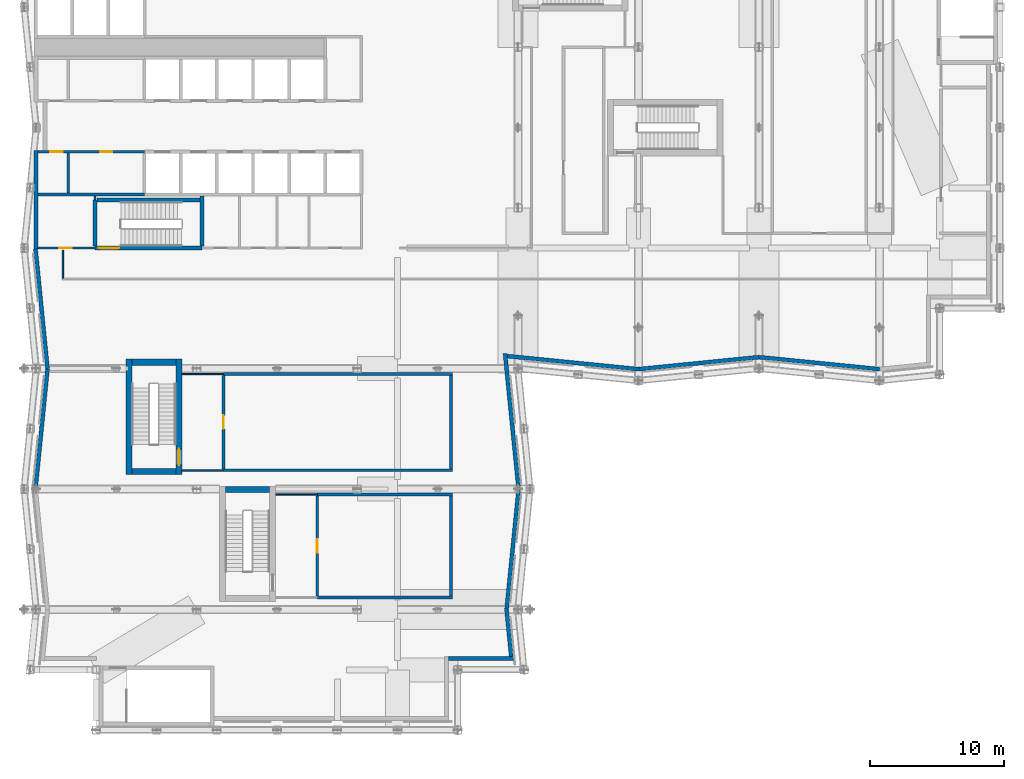
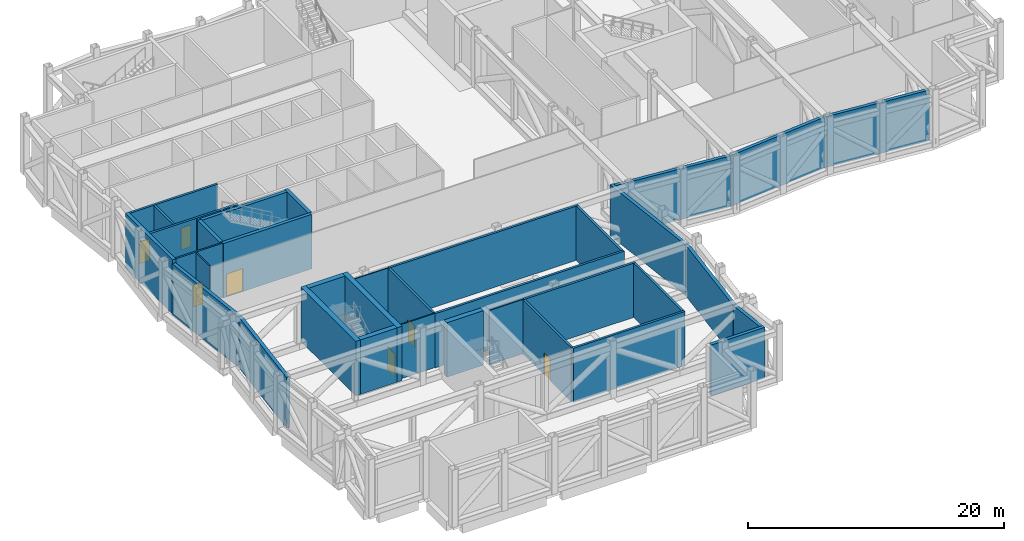
# One storey, part 9 of 22: 36 walls, 7 doors, 7 openings.
"""IFC4 building model written with IfcOpenShell, lengths in metres."""

from ifc_helpers import new_model, si_unit, direction, frame, frame_2d, origin, place, context, subcontext, project, spatial, rectangle, extrude, material, layer, layer_set, type_object, element, fill, save


model = new_model("IFC4")

# Units and contexts
model_context = context("Model", 3, precision=1e-05, world=origin(), true_north=direction((0.0, 1.0)))
body_context = subcontext(model_context, "Body", "Model", "MODEL_VIEW")
ifc_project = project(units=[si_unit("LENGTHUNIT", "METRE"), si_unit("AREAUNIT", "SQUARE_METRE"), si_unit("VOLUMEUNIT", "CUBIC_METRE"), si_unit("PLANEANGLEUNIT", "RADIAN"), si_unit("MASSUNIT", "GRAM", prefix="KILO")], contexts=[model_context])

# Site, building, storey
site_placement = place(None, origin())
site = spatial("IfcSite", under=ifc_project, at=site_placement, CompositionType="ELEMENT")
building_placement = place(site_placement, origin())
building = spatial("IfcBuilding", under=site, at=building_placement, Name="Brondeck Convention Tower", CompositionType="ELEMENT")
storey_placement = place(building_placement, frame((0.0, 0.0, 32.0)))
storey = spatial("IfcBuildingStorey", under=building, at=storey_placement, Name="L05", CompositionType="ELEMENT", Elevation=32.0)

# Wall
ifc_material_1 = material(Name="Concrete C80/95", Category="concrete")
ifc_layer_1 = layer(ifc_material_1, 0.300048828125)
ifc_layer_set_1 = layer_set([ifc_layer_1], Name="Core outer wall 300 Concrete C80/95")
wall_type_1 = type_object("IfcWallType", Name="Core outer wall 300 Concrete C80/95", PredefinedType="SHEAR", material=ifc_layer_set_1)
wall_1_placement = place(storey_placement, frame((0.0, 35.925048828125, 0.0), z_axis=(0.0, 0.0, 1.0), x_axis=(0.0, 1.0, 0.0)))
element("IfcWall", 1, at=wall_1_placement, inside=storey, type_object=wall_type_1, Name="L05 core wall", PredefinedType="SHEAR", context=body_context, shape_type="SweptSolid", body=[
    extrude(rectangle(XDim=7.375, YDim=0.300048828125, at=frame_2d((3.6875, 0.0))), origin(), (0.0, 0.0, 1.0), 5.199951171875),
])

# Wall, opening, door
ifc_material_2 = material(Name="Fire-rated gypsum board partition")
ifc_layer_2 = layer(ifc_material_2, 0.14990234375)
ifc_layer_set_2 = layer_set([ifc_layer_2], Name="Core partition 150 EI 60")
wall_type_2 = type_object("IfcWallType", Name="Core partition 150 EI 60", PredefinedType="PARTITIONING", material=ifc_layer_set_2)
wall_2_placement = place(storey_placement, frame((0.14990234375, 36.0, 0.0), z_axis=(0.0, 0.0, 1.0), x_axis=(1.0, 0.0, 0.0)))
wall_2 = element("IfcWall", 2, at=wall_2_placement, inside=storey, type_object=wall_type_2, Name="L05 core wall", PredefinedType="PARTITIONING", context=body_context, shape_type="SweptSolid", body=[
    extrude(rectangle(XDim=4.25, YDim=0.14990234375, at=frame_2d((2.125, 0.0))), origin(), (0.0, 0.0, 1.0), 5.199951171875),
])
opening_1_placement = place(wall_2_placement, frame((1.60009765625, 0.0, 0.0)))
opening_1 = element("IfcOpeningElement", 3, at=opening_1_placement, cuts=wall_2, Name="Opening C07-07", PredefinedType="OPENING", context=body_context, shape_type="SweptSolid", body=[
    extrude(rectangle(XDim=0.89990234375, YDim=2.10009765625, at=frame_2d((0.449951171875, 1.050048828125))), frame((0.0, 0.0849609375, 0.0), z_axis=(0.0, -1.0, 0.0), x_axis=(1.0, 0.0, 0.0)), (0.0, 0.0, 1.0), 0.169921875),
])
ifc_material_3 = material(Name="Steel fire door", Category="steel")
door_type_1 = type_object("IfcDoorType", Name="Room door 900x2100 EI 60", OperationType="NOTDEFINED", PredefinedType="DOOR", material=ifc_material_3)
door_1_placement = place(opening_1_placement, origin())
door_1 = element("IfcDoor", 4, at=door_1_placement, inside=storey, type_object=door_type_1, Name="L05 Room door FRW-1", OperationType="SINGLE_SWING_LEFT", OverallHeight=2.10009765625, OverallWidth=0.89990234375, PredefinedType="DOOR", context=body_context, shape_type="SweptSolid", body=[
    extrude(rectangle(XDim=0.89990234375, YDim=2.10009765625, at=frame_2d((0.449951171875, 1.050048828125))), frame((0.0, 0.02490234375, 0.0), z_axis=(0.0, -1.0, 0.0), x_axis=(1.0, 0.0, 0.0)), (0.0, 0.0, 1.0), 0.050048828125),
])
fill(opening_1, door_1)

# Walls
wall_3_placement = place(storey_placement, frame((4.39990234375, 39.60009765625, 0.0), z_axis=(0.0, 0.0, 1.0), x_axis=(0.0, 1.0, 0.0)))
element("IfcWall", 5, at=wall_3_placement, inside=storey, type_object=wall_type_2, Name="L05 core wall", PredefinedType="PARTITIONING", context=body_context, shape_type="SweptSolid", body=[
    extrude(rectangle(XDim=0.2998046875, YDim=0.14990234375, at=frame_2d((0.14990234375, 0.0))), origin(), (0.0, 0.0, 1.0), 5.199951171875),
])
ifc_material_4 = material(Name="Precast concrete C50/60 bronze finish", Category="concrete")
ifc_layer_3 = layer(ifc_material_4, 0.070068359375, Name="Bronze precast facing")
ifc_material_5 = material(Name="Mineral wool")
ifc_layer_4 = layer(ifc_material_5, 0.159912109375, Name="Insulation")
ifc_material_6 = material(Name="Concrete C35/45", Category="concrete")
ifc_layer_5 = layer(ifc_material_6, 0.070068359375, Name="Backing")
ifc_layer_set_3 = layer_set([ifc_layer_3, ifc_layer_4, ifc_layer_5], Name="External infill wall, precast concrete C50/60 bronze facing")
wall_type_3 = type_object("IfcWallType", Name="External infill wall, precast concrete C50/60 bronze facing", PredefinedType="SOLIDWALL", material=ifc_layer_set_3)
wall_4_placement = place(storey_placement, frame((35.676513671875, 5.35009765625, 0.0), z_axis=(0.0, 0.0, 1.0), x_axis=(-1.0, 0.0, 0.0)))
element("IfcWall", 6, at=wall_4_placement, inside=storey, type_object=wall_type_3, Name="ENV-EW-L05-P0-NC-SEB0-02", PredefinedType="SOLIDWALL", context=body_context, shape_type="SweptSolid", body=[
    extrude(rectangle(XDim=4.87646484375, YDim=0.300048828125, at=frame_2d((2.438232421875, 0.0))), origin(), (0.0, 0.0, 1.0), 4.85009765625),
])
wall_5_placement = place(storey_placement, frame((35.144287109375, 9.014892578125, 0.0), z_axis=(0.0, 0.0, 1.0), x_axis=(0.099462600847, -0.995041301169, 0.0)))
element("IfcWall", 7, at=wall_5_placement, inside=storey, type_object=wall_type_3, Name="ENV-EW-L05-P0-B-E-04", PredefinedType="SOLIDWALL", context=body_context, shape_type="SweptSolid", body=[
    extrude(rectangle(XDim=3.52734375, YDim=0.300048828125, at=frame_2d((1.763671875, 0.0))), origin(), (0.0, 0.0, 1.0), 4.85009765625),
])
wall_6_placement = place(storey_placement, frame((36.04736328125, 18.014892578125, 0.0), z_axis=(0.0, 0.0, 1.0), x_axis=(-0.099522457379, -0.995035316196, 0.0)))
element("IfcWall", 8, at=wall_6_placement, inside=storey, type_object=wall_type_3, Name="ENV-EW-L05-P0-B-E-03", PredefinedType="SOLIDWALL", context=body_context, shape_type="SweptSolid", body=[
    extrude(rectangle(XDim=9.030029296875, YDim=0.300048828125, at=frame_2d((4.51513671875, 0.0))), origin(), (0.0, 0.0, 1.0), 4.85009765625),
])
wall_7_placement = place(storey_placement, frame((35.03271484375, 28.131591796875, 0.0), z_axis=(0.0, 0.0, 1.0), x_axis=(0.099487051997, -0.995038856771, 0.0)))
element("IfcWall", 9, at=wall_7_placement, inside=storey, type_object=wall_type_3, Name="ENV-EW-L05-P0-B-E-01", PredefinedType="SOLIDWALL", context=body_context, shape_type="SweptSolid", body=[
    extrude(rectangle(XDim=10.152099609375, YDim=0.300048828125, at=frame_2d((5.076171875, 0.0))), origin(), (0.0, 0.0, 1.0), 4.85009765625),
])
wall_8_placement = place(storey_placement, frame((45.014892578125, 26.95263671875, 0.0), z_axis=(0.0, 0.0, 1.0), x_axis=(-0.995036699177, 0.099508629231, 0.0)))
element("IfcWall", 10, at=wall_8_placement, inside=storey, type_object=wall_type_3, Name="ENV-EW-L05-P0-A-S-00", PredefinedType="SOLIDWALL", context=body_context, shape_type="SweptSolid", body=[
    extrude(rectangle(XDim=9.845703125, YDim=0.300048828125, at=frame_2d((4.9228515625, 0.0))), origin(), (0.0, 0.0, 1.0), 4.85009765625),
])
for number, where, z_axis, x_axis, name in (
    (11, (54.014892578125, 27.855712890625, 0.0), (0.0, 0.0, 1.0), (-0.995037993253, -0.099495688264, 0.0), "ENV-EW-L05-P0-A-S-02"),
    (12, (63.014892578125, 26.95263671875, 0.0), (0.0, 0.0, 1.0), (-0.995035316196, 0.099522457379, 0.0), "ENV-EW-L05-P0-A-S-04"),
):
    element("IfcWall", number, at=place(storey_placement, frame(where, z_axis=z_axis, x_axis=x_axis)), inside=storey, type_object=wall_type_3, Name=name, PredefinedType="SOLIDWALL", context=body_context, shape_type="SweptSolid", body=[
        extrude(rectangle(XDim=9.030029296875, YDim=0.300048828125, at=frame_2d((4.51513671875, 0.0))), origin(), (0.0, 0.0, 1.0), 4.85009765625),
    ])
wall_9_placement = place(storey_placement, frame((0.855712890625, 26.985107421875, 0.0), z_axis=(0.0, 0.0, 1.0), x_axis=(-0.099503719021, 0.99503719021, 0.0)))
element("IfcWall", 13, at=wall_9_placement, inside=storey, type_object=wall_type_3, Name="ENV-EW-L05-P0-B-W-06", PredefinedType="SOLIDWALL", context=body_context, shape_type="SweptSolid", body=[
    extrude(rectangle(XDim=8.994873046875, YDim=0.300048828125, at=frame_2d((4.49755859375, 0.0))), origin(), (0.0, 0.0, 1.0), 4.85009765625),
])
wall_10_placement = place(storey_placement, frame((-0.04736328125, 17.985107421875, 0.0), z_axis=(0.0, 0.0, 1.0), x_axis=(0.099522457379, 0.995035316196, 0.0)))
element("IfcWall", 14, at=wall_10_placement, inside=storey, type_object=wall_type_3, Name="ENV-EW-L05-P0-B-W-08", PredefinedType="SOLIDWALL", context=body_context, shape_type="SweptSolid", body=[
    extrude(rectangle(XDim=9.030029296875, YDim=0.300048828125, at=frame_2d((4.51513671875, 0.0))), origin(), (0.0, 0.0, 1.0), 4.85009765625),
])
ifc_material_7 = material(Name="Concrete block wall C16/20", Category="concrete")
ifc_layer_6 = layer(ifc_material_7, 0.199951171875)
ifc_layer_set_4 = layer_set([ifc_layer_6], Name="Plant room wall 200")
wall_type_4 = type_object("IfcWallType", Name="Plant room wall 200", PredefinedType="PARTITIONING", material=ifc_layer_set_4)
wall_11_placement = place(storey_placement, frame((31.10009765625, 9.89990234375, 0.0), z_axis=(0.0, 0.0, 1.0), x_axis=(-1.0, 0.0, 0.0)))
element("IfcWall", 15, at=wall_11_placement, inside=storey, type_object=wall_type_4, Name="FLR-L05-W002", PredefinedType="PARTITIONING", context=body_context, shape_type="SweptSolid", body=[
    extrude(rectangle(XDim=10.10009765625, YDim=0.199951171875, at=frame_2d((5.050048828125, 0.0))), origin(), (0.0, 0.0, 1.0), 5.179931640625),
])

# Wall, opening, door
wall_12_placement = place(storey_placement, frame((21.0, 17.5, 0.0), z_axis=(0.0, 0.0, 1.0), x_axis=(0.0, -1.0, 0.0)))
wall_12 = element("IfcWall", 16, at=wall_12_placement, inside=storey, type_object=wall_type_4, Name="FLR-L05-W003", PredefinedType="PARTITIONING", context=body_context, shape_type="SweptSolid", body=[
    extrude(rectangle(XDim=7.5, YDim=0.199951171875, at=frame_2d((3.75, 0.0))), origin(), (0.0, 0.0, 1.0), 5.179931640625),
])
opening_2_placement = place(wall_12_placement, frame((3.25, 0.0, 0.0)))
opening_2 = element("IfcOpeningElement", 17, at=opening_2_placement, cuts=wall_12, Name="Opening P-L05-005", PredefinedType="OPENING", context=body_context, shape_type="SweptSolid", body=[
    extrude(rectangle(XDim=1.0, YDim=2.10009765625, at=frame_2d((0.5, 1.050048828125))), frame((0.0, 0.10986328125, 0.0), z_axis=(0.0, -1.0, 0.0), x_axis=(1.0, 0.0, 0.0)), (0.0, 0.0, 1.0), 0.219970703125),
])
ifc_material_8 = material(Name="Steel fire door leaf", Category="steel")
door_type_2 = type_object("IfcDoorType", Name="Plant room door 1000", OperationType="NOTDEFINED", PredefinedType="DOOR", material=ifc_material_8)
door_2_placement = place(opening_2_placement, origin())
door_2 = element("IfcDoor", 18, at=door_2_placement, inside=storey, type_object=door_type_2, Name="Door P-L05-005", OperationType="SINGLE_SWING_LEFT", OverallHeight=2.10009765625, OverallWidth=1.0, PredefinedType="DOOR", context=body_context, shape_type="SweptSolid", body=[
    extrude(rectangle(XDim=1.0, YDim=2.10009765625, at=frame_2d((0.5, 1.050048828125))), frame((0.0, 0.02490234375, 0.0), z_axis=(0.0, -1.0, 0.0), x_axis=(1.0, 0.0, 0.0)), (0.0, 0.0, 1.0), 0.050048828125),
])
fill(opening_2, door_2)

# Walls
wall_13_placement = place(storey_placement, frame((31.0, 17.5, 0.0), z_axis=(0.0, 0.0, 1.0), x_axis=(0.0, -1.0, 0.0)))
element("IfcWall", 19, at=wall_13_placement, inside=storey, type_object=wall_type_4, Name="FLR-L05-W004", PredefinedType="PARTITIONING", context=body_context, shape_type="SweptSolid", body=[
    extrude(rectangle(XDim=7.5, YDim=0.199951171875, at=frame_2d((3.75, 0.0))), origin(), (0.0, 0.0, 1.0), 5.179931640625),
])
wall_14_placement = place(storey_placement, frame((21.0, 17.60009765625, 0.0), z_axis=(0.0, 0.0, 1.0), x_axis=(1.0, 0.0, 0.0)))
element("IfcWall", 20, at=wall_14_placement, inside=storey, type_object=wall_type_4, Name="FLR-L05-W006", PredefinedType="PARTITIONING", context=body_context, shape_type="SweptSolid", body=[
    extrude(rectangle(XDim=10.10009765625, YDim=0.199951171875, at=frame_2d((5.050048828125, 0.0))), origin(), (0.0, 0.0, 1.0), 5.179931640625),
])
wall_15_placement = place(storey_placement, frame((31.10009765625, 19.39990234375, 0.0), z_axis=(0.0, 0.0, 1.0), x_axis=(-1.0, 0.0, 0.0)))
element("IfcWall", 21, at=wall_15_placement, inside=storey, type_object=wall_type_4, Name="FLR-L05-W008", PredefinedType="PARTITIONING", context=body_context, shape_type="SweptSolid", body=[
    extrude(rectangle(XDim=17.10009765625, YDim=0.199951171875, at=frame_2d((8.550048828125, 0.0))), origin(), (0.0, 0.0, 1.0), 5.179931640625),
])

# Wall, opening, door
wall_16_placement = place(storey_placement, frame((14.0, 26.5, 0.0), z_axis=(0.0, 0.0, 1.0), x_axis=(0.0, -1.0, 0.0)))
wall_16 = element("IfcWall", 22, at=wall_16_placement, inside=storey, type_object=wall_type_4, Name="FLR-L05-W009", PredefinedType="PARTITIONING", context=body_context, shape_type="SweptSolid", body=[
    extrude(rectangle(XDim=7.0, YDim=0.199951171875, at=frame_2d((3.5, 0.0))), origin(), (0.0, 0.0, 1.0), 5.179931640625),
])
opening_3_placement = place(wall_16_placement, frame((3.0, 0.0, 0.0)))
opening_3 = element("IfcOpeningElement", 23, at=opening_3_placement, cuts=wall_16, Name="Opening P-L05-004", PredefinedType="OPENING", context=body_context, shape_type="SweptSolid", body=[
    extrude(rectangle(XDim=1.0, YDim=2.10009765625, at=frame_2d((0.5, 1.050048828125))), frame((0.0, 0.10986328125, 0.0), z_axis=(0.0, -1.0, 0.0), x_axis=(1.0, 0.0, 0.0)), (0.0, 0.0, 1.0), 0.219970703125),
])
door_3_placement = place(opening_3_placement, origin())
door_3 = element("IfcDoor", 24, at=door_3_placement, inside=storey, type_object=door_type_2, Name="Door P-L05-004", OperationType="SINGLE_SWING_LEFT", OverallHeight=2.10009765625, OverallWidth=1.0, PredefinedType="DOOR", context=body_context, shape_type="SweptSolid", body=[
    extrude(rectangle(XDim=1.0, YDim=2.10009765625, at=frame_2d((0.5, 1.050048828125))), frame((0.0, 0.02490234375, 0.0), z_axis=(0.0, -1.0, 0.0), x_axis=(1.0, 0.0, 0.0)), (0.0, 0.0, 1.0), 0.050048828125),
])
fill(opening_3, door_3)

# Walls
wall_17_placement = place(storey_placement, frame((31.0, 26.5, 0.0), z_axis=(0.0, 0.0, 1.0), x_axis=(0.0, -1.0, 0.0)))
element("IfcWall", 25, at=wall_17_placement, inside=storey, type_object=wall_type_4, Name="FLR-L05-W010", PredefinedType="PARTITIONING", context=body_context, shape_type="SweptSolid", body=[
    extrude(rectangle(XDim=7.0, YDim=0.199951171875, at=frame_2d((3.5, 0.0))), origin(), (0.0, 0.0, 1.0), 5.179931640625),
])
wall_18_placement = place(storey_placement, frame((14.0, 26.60009765625, 0.0), z_axis=(0.0, 0.0, 1.0), x_axis=(1.0, 0.0, 0.0)))
element("IfcWall", 26, at=wall_18_placement, inside=storey, type_object=wall_type_4, Name="FLR-L05-W012", PredefinedType="PARTITIONING", context=body_context, shape_type="SweptSolid", body=[
    extrude(rectangle(XDim=17.10009765625, YDim=0.199951171875, at=frame_2d((8.550048828125, 0.0))), origin(), (0.0, 0.0, 1.0), 5.179931640625),
])
ifc_layer_7 = layer(ifc_material_2, 0.199951171875)
ifc_layer_set_5 = layer_set([ifc_layer_7], Name="Plant room wall 200 EI 120")
wall_type_5 = type_object("IfcWallType", Name="Plant room wall 200 EI 120", PredefinedType="PARTITIONING", material=ifc_layer_set_5)
wall_19_placement = place(storey_placement, frame((0.14990234375, 40.0, 0.0), z_axis=(0.0, 0.0, 1.0), x_axis=(1.0, 0.0, 0.0)))
element("IfcWall", 27, at=wall_19_placement, inside=storey, type_object=wall_type_5, Name="L05 core wall", PredefinedType="PARTITIONING", context=body_context, shape_type="SweptSolid", body=[
    extrude(rectangle(XDim=7.9501953125, YDim=0.199951171875, at=frame_2d((3.97509765625, 0.0))), origin(), (0.0, 0.0, 1.0), 5.199951171875),
])

# Wall, openings, doors
wall_20_placement = place(storey_placement, frame((0.14990234375, 43.199951171875, 0.0), z_axis=(0.0, 0.0, 1.0), x_axis=(1.0, 0.0, 0.0)))
wall_20 = element("IfcWall", 28, at=wall_20_placement, inside=storey, type_object=wall_type_5, Name="L05 core wall", PredefinedType="PARTITIONING", context=body_context, shape_type="SweptSolid", body=[
    extrude(rectangle(XDim=7.9501953125, YDim=0.199951171875, at=frame_2d((3.97509765625, 0.0))), origin(), (0.0, 0.0, 1.0), 5.199951171875),
])
opening_4_placement = place(wall_20_placement, frame((0.925048828125, 0.0, 0.0)))
opening_4 = element("IfcOpeningElement", 29, at=opening_4_placement, cuts=wall_20, Name="Opening C07-10", PredefinedType="OPENING", context=body_context, shape_type="SweptSolid", body=[
    extrude(rectangle(XDim=0.89990234375, YDim=2.10009765625, at=frame_2d((0.449951171875, 1.050048828125))), frame((0.0, 0.10986328125, 0.0), z_axis=(0.0, -1.0, 0.0), x_axis=(1.0, 0.0, 0.0)), (0.0, 0.0, 1.0), 0.219970703125),
])
opening_5_placement = place(wall_20_placement, frame((4.64990234375, 0.0, 0.0)))
opening_5 = element("IfcOpeningElement", 30, at=opening_5_placement, cuts=wall_20, Name="Opening C07-11", PredefinedType="OPENING", context=body_context, shape_type="SweptSolid", body=[
    extrude(rectangle(XDim=0.89990234375, YDim=2.10009765625, at=frame_2d((0.449951171875, 1.050048828125))), frame((0.0, 0.10986328125, 0.0), z_axis=(0.0, -1.0, 0.0), x_axis=(1.0, 0.0, 0.0)), (0.0, 0.0, 1.0), 0.219970703125),
])
door_type_3 = type_object("IfcDoorType", Name="Room door 900x2100 EI 120", OperationType="NOTDEFINED", PredefinedType="DOOR", material=ifc_material_3)
door_4_placement = place(opening_4_placement, origin())
door_4 = element("IfcDoor", 31, at=door_4_placement, inside=storey, type_object=door_type_3, Name="L05 Room door FZ-S-0-1", OperationType="SINGLE_SWING_LEFT", OverallHeight=2.10009765625, OverallWidth=0.89990234375, PredefinedType="DOOR", context=body_context, shape_type="SweptSolid", body=[
    extrude(rectangle(XDim=0.89990234375, YDim=2.10009765625, at=frame_2d((0.449951171875, 1.050048828125))), frame((0.0, 0.02490234375, 0.0), z_axis=(0.0, -1.0, 0.0), x_axis=(1.0, 0.0, 0.0)), (0.0, 0.0, 1.0), 0.050048828125),
])
fill(opening_4, door_4)
door_5_placement = place(opening_5_placement, origin())
door_5 = element("IfcDoor", 32, at=door_5_placement, inside=storey, type_object=door_type_3, Name="L05 Room door FZ-S-0-2", OperationType="SINGLE_SWING_RIGHT", OverallHeight=2.10009765625, OverallWidth=0.89990234375, PredefinedType="DOOR", context=body_context, shape_type="SweptSolid", body=[
    extrude(rectangle(XDim=0.89990234375, YDim=2.10009765625, at=frame_2d((0.449951171875, 1.050048828125))), frame((0.0, 0.02490234375, 0.0), z_axis=(0.0, -1.0, 0.0), x_axis=(1.0, 0.0, 0.0)), (0.0, 0.0, 1.0), 0.050048828125),
])
fill(opening_5, door_5)

# Walls
wall_21_placement = place(storey_placement, frame((2.39990234375, 40.10009765625, 0.0), z_axis=(0.0, 0.0, 1.0), x_axis=(0.0, 1.0, 0.0)))
element("IfcWall", 33, at=wall_21_placement, inside=storey, type_object=wall_type_5, Name="L05 core wall", PredefinedType="PARTITIONING", context=body_context, shape_type="SweptSolid", body=[
    extrude(rectangle(XDim=3.0, YDim=0.199951171875, at=frame_2d((1.5, 0.0))), origin(), (0.0, 0.0, 1.0), 5.199951171875),
])
ifc_material_9 = material(Name="Gypsum board partition on steel studs", Category="steel")
ifc_layer_8 = layer(ifc_material_9, 0.10009765625)
ifc_layer_set_6 = layer_set([ifc_layer_8], Name="Room partition 100")
wall_type_6 = type_object("IfcWallType", Name="Room partition 100", PredefinedType="PARTITIONING", material=ifc_layer_set_6)
for number, where, z_axis, x_axis, name in (
    (34, (17.89990234375, 17.60009765625, 0.0), (0.0, 0.0, 1.0), (1.0, 0.0, 0.0), "FLR-L05-W005"),
    (35, (14.0, 19.39990234375, 0.0), (0.0, 0.0, 1.0), (-1.0, 0.0, 0.0), "FLR-L05-W007"),
    (36, (10.89990234375, 26.60009765625, 0.0), (0.0, 0.0, 1.0), (1.0, 0.0, 0.0), "FLR-L05-W011"),
):
    element("IfcWall", number, at=place(storey_placement, frame(where, z_axis=z_axis, x_axis=x_axis)), inside=storey, type_object=wall_type_6, Name=name, PredefinedType="PARTITIONING", context=body_context, shape_type="SweptSolid", body=[
        extrude(rectangle(XDim=3.10009765625, YDim=0.10009765625, at=frame_2d((1.550048828125, 0.0))), origin(), (0.0, 0.0, 1.0), 5.179931640625),
    ])
wall_22_placement = place(storey_placement, frame((2.0, 33.75, 0.0), z_axis=(0.0, 0.0, 1.0), x_axis=(0.0, 1.0, 0.0)))
element("IfcWall", 37, at=wall_22_placement, inside=storey, type_object=wall_type_6, Name="FLR-L05-W015", PredefinedType="PARTITIONING", context=body_context, shape_type="SweptSolid", body=[
    extrude(rectangle(XDim=2.10009765625, YDim=0.10009765625, at=frame_2d((1.050048828125, 0.0))), origin(), (0.0, 0.0, 1.0), 5.179931640625),
])
ifc_material_10 = material(Name="Concrete C50/60", Category="concrete")
ifc_layer_9 = layer(ifc_material_10, 0.449951171875)
ifc_layer_set_7 = layer_set([ifc_layer_9], Name="Stair enclosure bearing wall 450 Concrete C50/60")
wall_type_7 = type_object("IfcWallType", Name="Stair enclosure bearing wall 450 Concrete C50/60", PredefinedType="SHEAR", material=ifc_layer_set_7)
for number, where, z_axis, x_axis, name in (
    (38, (14.14990234375, 17.97509765625, 0.0), (0.0, 0.0, 1.0), (1.0, 0.0, 0.0), "L05 core wall"),
    (39, (7.14990234375, 19.324951171875, 0.0), (0.0, 0.0, 1.0), (1.0, 0.0, 0.0), "L05 core wall"),
    (40, (7.14990234375, 27.47509765625, 0.0), (0.0, 0.0, 1.0), (1.0, 0.0, 0.0), "L05 core wall"),
):
    element("IfcWall", number, at=place(storey_placement, frame(where, z_axis=z_axis, x_axis=x_axis)), inside=storey, type_object=wall_type_7, Name=name, PredefinedType="SHEAR", context=body_context, shape_type="SweptSolid", body=[
        extrude(rectangle(XDim=3.300048828125, YDim=0.449951171875, at=frame_2d((1.64990234375, 0.0))), origin(), (0.0, 0.0, 1.0), 5.199951171875),
    ])
wall_23_placement = place(storey_placement, frame((6.925048828125, 19.10009765625, 0.0), z_axis=(0.0, 0.0, 1.0), x_axis=(0.0, 1.0, 0.0)))
element("IfcWall", 41, at=wall_23_placement, inside=storey, type_object=wall_type_7, Name="L05 core wall", PredefinedType="SHEAR", context=body_context, shape_type="SweptSolid", body=[
    extrude(rectangle(XDim=8.599853515625, YDim=0.449951171875, at=frame_2d((4.2998046875, 0.0))), origin(), (0.0, 0.0, 1.0), 5.199951171875),
])

# Wall, opening, door
wall_24_placement = place(storey_placement, frame((10.675048828125, 19.10009765625, 0.0), z_axis=(0.0, 0.0, 1.0), x_axis=(0.0, 1.0, 0.0)))
wall_24 = element("IfcWall", 42, at=wall_24_placement, inside=storey, type_object=wall_type_7, Name="L05 core wall", PredefinedType="SHEAR", context=body_context, shape_type="SweptSolid", body=[
    extrude(rectangle(XDim=8.599853515625, YDim=0.449951171875, at=frame_2d((4.2998046875, 0.0))), origin(), (0.0, 0.0, 1.0), 5.199951171875),
])
opening_6_placement = place(wall_24_placement, frame((0.699951171875, 0.0, 0.0)))
opening_6 = element("IfcOpeningElement", 43, at=opening_6_placement, cuts=wall_24, Name="Opening C07-21", PredefinedType="OPENING", context=body_context, shape_type="SweptSolid", body=[
    extrude(rectangle(XDim=1.199951171875, YDim=2.199951171875, at=frame_2d((0.60009765625, 1.10009765625))), frame((0.0, 0.23486328125, 0.0), z_axis=(0.0, -1.0, 0.0), x_axis=(1.0, 0.0, 0.0)), (0.0, 0.0, 1.0), 0.469970703125),
])
door_type_4 = type_object("IfcDoorType", Name="Stair door 1200x2200 EI 90", OperationType="NOTDEFINED", PredefinedType="DOOR", material=ifc_material_3)
door_6_placement = place(opening_6_placement, origin())
door_6 = element("IfcDoor", 44, at=door_6_placement, inside=storey, type_object=door_type_4, Name="L05 Stair door ST-BE", OperationType="SINGLE_SWING_RIGHT", OverallHeight=2.199951171875, OverallWidth=1.199951171875, PredefinedType="DOOR", context=body_context, shape_type="SweptSolid", body=[
    extrude(rectangle(XDim=1.199951171875, YDim=2.199951171875, at=frame_2d((0.60009765625, 1.10009765625))), frame((0.0, 0.02490234375, 0.0), z_axis=(0.0, -1.0, 0.0), x_axis=(1.0, 0.0, 0.0)), (0.0, 0.0, 1.0), 0.050048828125),
])
fill(opening_6, door_6)

ifc_layer_10 = layer(ifc_material_1, 0.300048828125)
ifc_layer_set_8 = layer_set([ifc_layer_10], Name="Stair enclosure wall 300 Concrete C80/95")
wall_type_8 = type_object("IfcWallType", Name="Stair enclosure wall 300 Concrete C80/95", PredefinedType="SHEAR", material=ifc_layer_set_8)
wall_25_placement = place(storey_placement, frame((4.39990234375, 36.0, 0.0), z_axis=(0.0, 0.0, 1.0), x_axis=(1.0, 0.0, 0.0)))
wall_25 = element("IfcWall", 45, at=wall_25_placement, inside=storey, type_object=wall_type_8, Name="L05 core wall", PredefinedType="SHEAR", context=body_context, shape_type="SweptSolid", body=[
    extrude(rectangle(XDim=8.0, YDim=0.300048828125, at=frame_2d((4.0, 0.0))), origin(), (0.0, 0.0, 1.0), 5.199951171875),
])
opening_7_placement = place(wall_25_placement, frame((0.300048828125, 0.0, 0.0)))
opening_7 = element("IfcOpeningElement", 46, at=opening_7_placement, cuts=wall_25, Name="Opening C07-16", PredefinedType="OPENING", context=body_context, shape_type="SweptSolid", body=[
    extrude(rectangle(XDim=1.5, YDim=2.199951171875, at=frame_2d((0.75, 1.10009765625))), frame((0.0, 0.159912109375, 0.0), z_axis=(0.0, -1.0, 0.0), x_axis=(1.0, 0.0, 0.0)), (0.0, 0.0, 1.0), 0.320068359375),
])
door_type_5 = type_object("IfcDoorType", Name="Stair door 1500x2200 EI 90", OperationType="NOTDEFINED", PredefinedType="DOOR", material=ifc_material_3)
door_7_placement = place(opening_7_placement, origin())
door_7 = element("IfcDoor", 47, at=door_7_placement, inside=storey, type_object=door_type_5, Name="L05 Stair door ST-1", OperationType="SINGLE_SWING_RIGHT", OverallHeight=2.199951171875, OverallWidth=1.5, PredefinedType="DOOR", context=body_context, shape_type="SweptSolid", body=[
    extrude(rectangle(XDim=1.5, YDim=2.199951171875, at=frame_2d((0.75, 1.10009765625))), frame((0.0, 0.02490234375, 0.0), z_axis=(0.0, -1.0, 0.0), x_axis=(1.0, 0.0, 0.0)), (0.0, 0.0, 1.0), 0.050048828125),
])
fill(opening_7, door_7)

# Walls
wall_26_placement = place(storey_placement, frame((4.550048828125, 39.60009765625, 0.0), z_axis=(0.0, 0.0, 1.0), x_axis=(1.0, 0.0, 0.0)))
element("IfcWall", 48, at=wall_26_placement, inside=storey, type_object=wall_type_8, Name="L05 core wall", PredefinedType="SHEAR", context=body_context, shape_type="SweptSolid", body=[
    extrude(rectangle(XDim=7.699951171875, YDim=0.300048828125, at=frame_2d((3.85009765625, 0.0))), origin(), (0.0, 0.0, 1.0), 5.199951171875),
])
wall_27_placement = place(storey_placement, frame((4.39990234375, 36.14990234375, 0.0), z_axis=(0.0, 0.0, 1.0), x_axis=(0.0, 1.0, 0.0)))
element("IfcWall", 49, at=wall_27_placement, inside=storey, type_object=wall_type_8, Name="L05 core wall", PredefinedType="SHEAR", context=body_context, shape_type="SweptSolid", body=[
    extrude(rectangle(XDim=3.4501953125, YDim=0.300048828125, at=frame_2d((1.72509765625, 0.0))), origin(), (0.0, 0.0, 1.0), 5.199951171875),
])
wall_28_placement = place(storey_placement, frame((12.39990234375, 36.14990234375, 0.0), z_axis=(0.0, 0.0, 1.0), x_axis=(0.0, 1.0, 0.0)))
element("IfcWall", 50, at=wall_28_placement, inside=storey, type_object=wall_type_8, Name="L05 core wall", PredefinedType="SHEAR", context=body_context, shape_type="SweptSolid", body=[
    extrude(rectangle(XDim=3.72509765625, YDim=0.300048828125, at=frame_2d((1.862548828125, 0.0))), origin(), (0.0, 0.0, 1.0), 5.199951171875),
])

save(model, "model.ifc")
